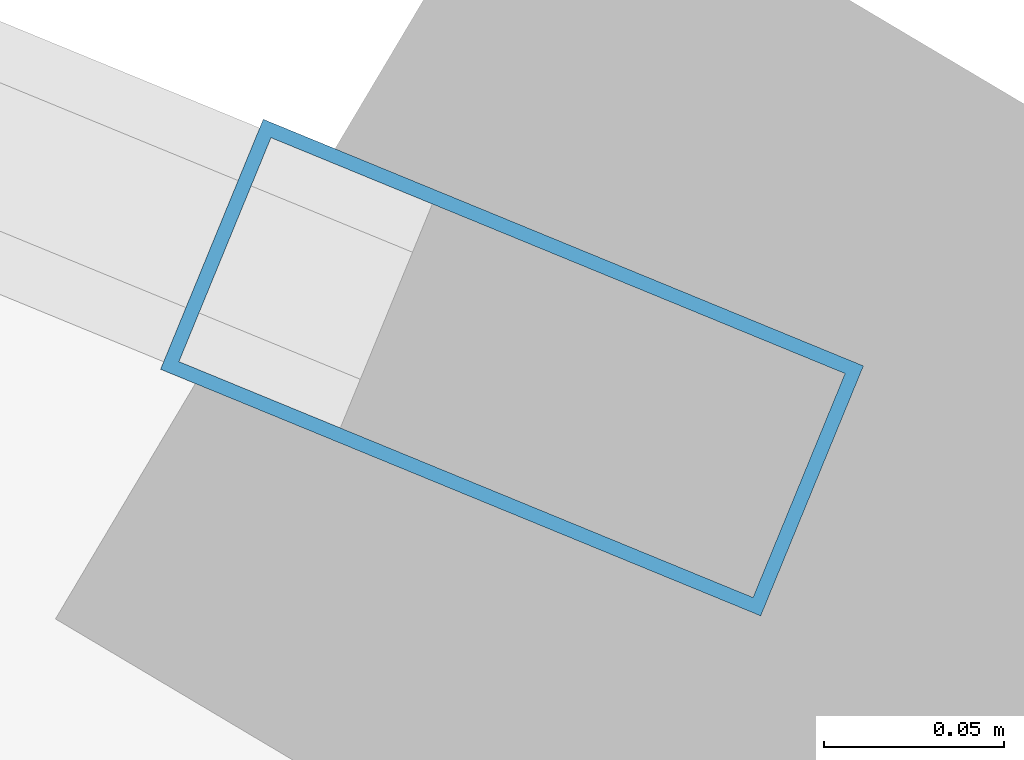
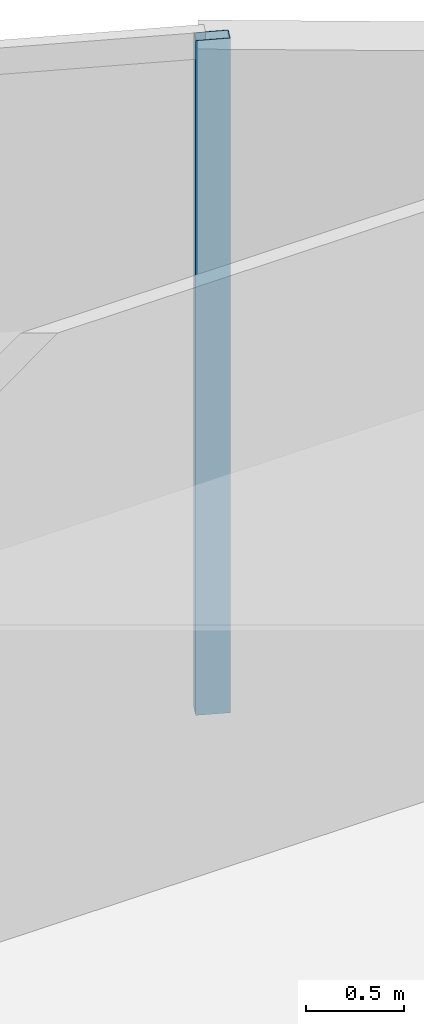
# One storey, part 12 of 17: 1 member, 1 element without a shape of its own.
"""IFC4 building model written with IfcOpenShell, lengths in metres."""

from ifc_helpers import new_model, si_unit, direction, frame, origin, origin_2d, place, context, subcontext, project, spatial, hollow_rectangle, extrude, material, layer, layer_set, material_profile, profile_set, type_object, element, aggregate, save


model = new_model("IFC4")

# Units and contexts
model_context = context("Model", 3, precision=1e-05, world=origin(), true_north=direction((0.0, 1.0)))
body_context = subcontext(model_context, "Body", "Model", "MODEL_VIEW")
ifc_project = project(units=[si_unit("LENGTHUNIT", "METRE"), si_unit("AREAUNIT", "SQUARE_METRE"), si_unit("VOLUMEUNIT", "CUBIC_METRE"), si_unit("PLANEANGLEUNIT", "RADIAN"), si_unit("MASSUNIT", "GRAM", prefix="KILO")], contexts=[model_context])

# Site, building, storey
site_placement = place(None, origin())
site = spatial("IfcSite", under=ifc_project, at=site_placement, CompositionType="ELEMENT")
building_placement = place(site_placement, origin())
building = spatial("IfcBuilding", under=site, at=building_placement, Name="Menara Vayukalpa", CompositionType="ELEMENT")
storey_placement = place(building_placement, frame((0.0, 0.0, 238.139892578125)))
storey = spatial("IfcBuildingStorey", under=building, at=storey_placement, Name="L60", CompositionType="ELEMENT", Elevation=238.139892578125)

# Curtain wall, member
ifc_material_1 = material(Name="Anodised Terracotta Aluminium Alloy 6063-T6", Category="masonry")
ifc_layer = layer(ifc_material_1, 0.179931640625)
ifc_layer_set = layer_set([ifc_layer], Name="Anodised Terracotta Aluminium Alloy 6063-T6")
curtain_wall_type = type_object("IfcCurtainWallType", Name="CW-CW4", PredefinedType="USERDEFINED", material=ifc_layer_set)
curtain_wall_placement = place(storey_placement, origin())
curtain_wall = element("IfcCurtainWall", 1, at=curtain_wall_placement, inside=storey, type_object=curtain_wall_type, Name="L60 Sky Bar Cantilever Glazed Curtain Wall CW4 04", ObjectType="UNITISED", PredefinedType="USERDEFINED")
ifc_material_2 = material(Name="Anodised Terracotta Aluminium Alloy 6063-T6", Category="masonry")
ifc_material_profile = material_profile(ifc_material_2, hollow_rectangle(XDim=0.074951171875, YDim=0.179931640625, WallThickness=0.00390625, at=origin_2d()), Name="ALU 75x180x4")
ifc_profile_set = profile_set([ifc_material_profile], Name="Anodised Terracotta Aluminium Alloy 6063-T6")
member_type = type_object("IfcMemberType", Name="CWM-CW4", PredefinedType="MULLION", material=ifc_profile_set)
member_placement = place(storey_placement, frame((45.625732421875, 28.717529296875, 0.0), z_axis=(0.0, 0.0, 1.0), x_axis=(-0.380039448491, -0.924970279301, 0.0)))
member = element("IfcMember", 2, at=member_placement, type_object=member_type, Name="CW4 mullion 1", PredefinedType="MULLION", context=body_context, shape_type="SweptSolid", body=[
    extrude(hollow_rectangle(XDim=0.074951171875, YDim=0.179931640625, WallThickness=0.00390625, at=origin_2d()), origin(), (0.0, 0.0, 1.0), 4.22021484375),
])
aggregate(curtain_wall, [member])

save(model, "model.ifc")
